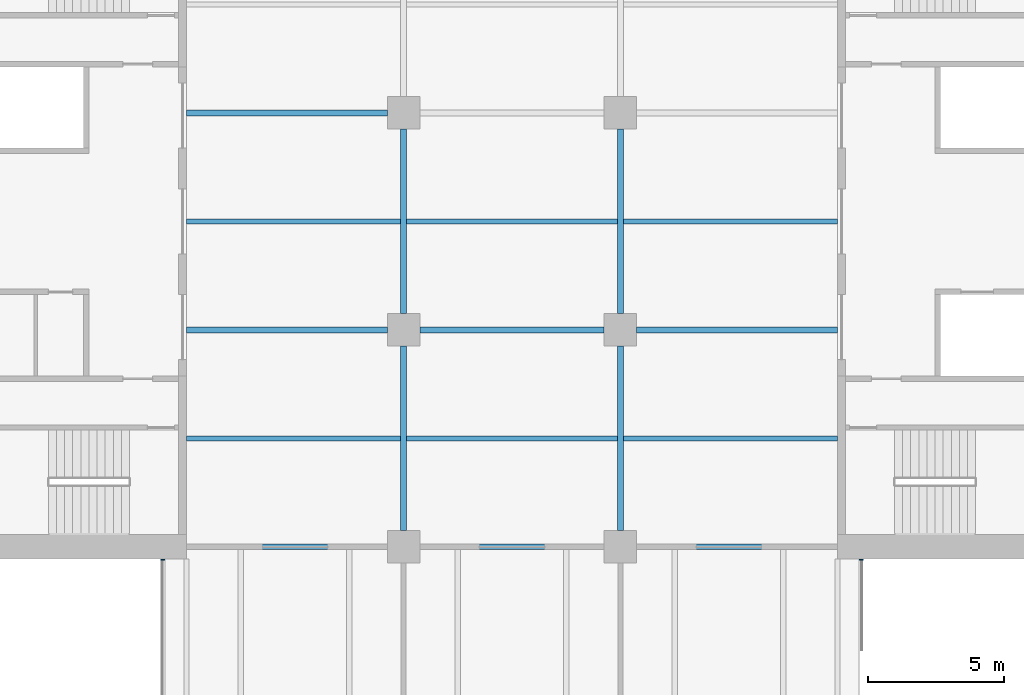
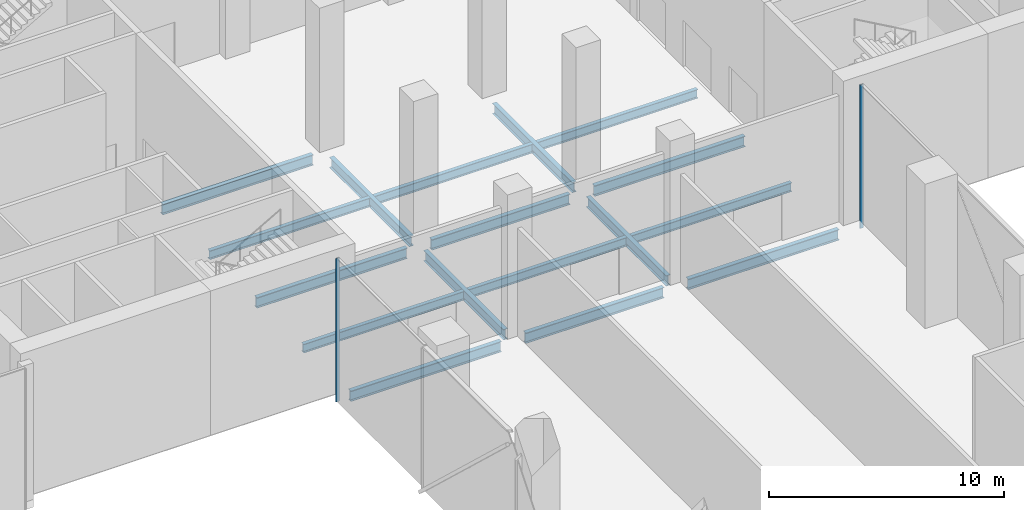
# One storey, part 5 of 25: 17 beams, 2 members, 2 elements without a shape of their own.
"""IFC4 building model written with IfcOpenShell, lengths in metres."""

from ifc_helpers import new_model, si_unit, direction, frame, origin, origin_2d, place, context, subcontext, project, spatial, rectangle, i_section, extrude, material, material_profile, profile_set, type_object, element, aggregate, save


model = new_model("IFC4")

# Units and contexts
model_context = context("Model", 3, precision=1e-05, world=origin(), true_north=direction((0.0, 1.0)))
body_context = subcontext(model_context, "Body", "Model", "MODEL_VIEW")
ifc_project = project(units=[si_unit("LENGTHUNIT", "METRE"), si_unit("AREAUNIT", "SQUARE_METRE"), si_unit("VOLUMEUNIT", "CUBIC_METRE"), si_unit("PLANEANGLEUNIT", "RADIAN"), si_unit("MASSUNIT", "GRAM", prefix="KILO")], contexts=[model_context])

# Site, building, storey
site_placement = place(None, origin())
site = spatial("IfcSite", under=ifc_project, at=site_placement, CompositionType="ELEMENT")
building_placement = place(site_placement, origin())
building = spatial("IfcBuilding", under=site, at=building_placement, Name="Crosswind Convention Tower", CompositionType="ELEMENT")
storey_placement = place(building_placement, frame((0.0, 0.0, 17.5)))
storey = spatial("IfcBuildingStorey", under=building, at=storey_placement, Name="L02", CompositionType="ELEMENT", Elevation=17.5)

# Beams
ifc_material_1 = material(Name="Steel S355", Category="steel")
ifc_material_profile_1 = material_profile(ifc_material_1, i_section(OverallWidth=0.2119140625, OverallDepth=0.544677734375, WebThickness=0.0126953125, FlangeThickness=0.021240234375, FilletRadius=0.0126953125, at=origin_2d()), Name="UB 533x210x122")
ifc_profile_set_1 = profile_set([ifc_material_profile_1], Name="Steel S355")
beam_type_1 = type_object("IfcBeamType", Name="Girder UB 533x210x122", PredefinedType="BEAM", material=ifc_profile_set_1)
for number, where, z_axis, x_axis, name in (
    (1, (121.0, 88.60009765625, -0.67236328125), (0.0, 1.0, 0.0), (-1.0, 0.0, 0.0), "B6 L02 girder 1"),
    (2, (121.0, 96.60009765625, -0.67236328125), (0.0, 1.0, 0.0), (-1.0, 0.0, 0.0), "B6 L02 girder 2"),
    (3, (121.60009765625, 88.0, -0.67236328125), (1.0, 0.0, 0.0), (0.0, 1.0, 0.0), "B6 L02 girder 4"),
    (4, (121.60009765625, 96.0, -0.67236328125), (1.0, 0.0, 0.0), (0.0, 1.0, 0.0), "B6 L02 girder 5"),
    (5, (129.0, 88.60009765625, -0.67236328125), (0.0, 1.0, 0.0), (-1.0, 0.0, 0.0), "B6 L02 girder 8"),
    (6, (129.0, 96.60009765625, -0.67236328125), (0.0, 1.0, 0.0), (-1.0, 0.0, 0.0), "B6 L02 girder 9"),
):
    element("IfcBeam", number, at=place(storey_placement, frame(where, z_axis=z_axis, x_axis=x_axis)), inside=storey, type_object=beam_type_1, Name=name, PredefinedType="BEAM", context=body_context, shape_type="SweptSolid", body=[
        extrude(i_section(OverallWidth=0.2119140625, OverallDepth=0.544677734375, WebThickness=0.0126953125, FlangeThickness=0.021240234375, FilletRadius=0.0126953125, at=origin_2d()), origin(), (0.0, 0.0, 1.0), 6.7998046875),
    ])
ifc_material_profile_2 = material_profile(ifc_material_1, i_section(OverallWidth=0.214111328125, OverallDepth=0.549072265625, WebThickness=0.0146484375, FlangeThickness=0.023681640625, FilletRadius=0.0126953125, at=origin_2d()), Name="UB 533x210x138")
ifc_profile_set_2 = profile_set([ifc_material_profile_2], Name="Steel S355")
beam_type_2 = type_object("IfcBeamType", Name="Girder at core wall UB 533x210x138", PredefinedType="BEAM", material=ifc_profile_set_2)
for number, where, z_axis, x_axis, name in (
    (7, (113.0, 88.0, -0.674560546875), (1.0, 0.0, 0.0), (0.0, 1.0, 0.0), "B27 L02 girder at core wall 1"),
    (8, (113.0, 96.0, -0.674560546875), (1.0, 0.0, 0.0), (0.0, 1.0, 0.0), "B27 L02 girder at core wall 2"),
    (9, (113.0, 104.0, -0.674560546875), (1.0, 0.0, 0.0), (0.0, 1.0, 0.0), "B27 L02 girder at core wall 3"),
    (10, (129.60009765625, 88.0, -0.674560546875), (1.0, 0.0, 0.0), (0.0, 1.0, 0.0), "B27 L02 girder at core wall 5"),
    (11, (129.60009765625, 96.0, -0.674560546875), (1.0, 0.0, 0.0), (0.0, 1.0, 0.0), "B27 L02 girder at core wall 6"),
):
    element("IfcBeam", number, at=place(storey_placement, frame(where, z_axis=z_axis, x_axis=x_axis)), inside=storey, type_object=beam_type_2, Name=name, PredefinedType="BEAM", context=body_context, shape_type="SweptSolid", body=[
        extrude(i_section(OverallWidth=0.214111328125, OverallDepth=0.549072265625, WebThickness=0.0146484375, FlangeThickness=0.023681640625, FilletRadius=0.0126953125, at=origin_2d()), origin(), (0.0, 0.0, 1.0), 7.39990234375),
    ])

# Curtain wall, member
ifc_material_2 = material(Name="Aluminium unitised curtain wall", Category="aluminium")
curtain_wall_type = type_object("IfcCurtainWallType", Name="CORE END SLOT WALL 160", PredefinedType="USERDEFINED", material=ifc_material_2)
curtain_wall_1_placement = place(storey_placement, origin())
curtain_wall_1 = element("IfcCurtainWall", 12, at=curtain_wall_1_placement, inside=storey, type_object=curtain_wall_type, Name="CW6 L02 S-W.1-1 slot", ObjectType="UNITISED", PredefinedType="USERDEFINED")
ifc_material_3 = material(Name="Aluminium mullion", Category="aluminium")
ifc_material_profile_3 = material_profile(ifc_material_3, rectangle(XDim=0.159912109375, YDim=0.050048828125, at=origin_2d()), Name="AL 160X50")
ifc_profile_set_3 = profile_set([ifc_material_profile_3], Name="Aluminium mullion")
member_type = type_object("IfcMemberType", Name="MULLION 50X160", PredefinedType="MULLION", material=ifc_profile_set_3)
member_1_placement = place(storey_placement, frame((112.1201171875, 87.52490234375, -0.39990234375), z_axis=(0.0, 0.0, 1.0), x_axis=(-1.0, 0.0, 0.0)))
member_1 = element("IfcMember", 13, at=member_1_placement, type_object=member_type, Name="CW6 mullion 1", PredefinedType="MULLION", context=body_context, shape_type="SweptSolid", body=[
    extrude(rectangle(XDim=0.159912109375, YDim=0.050048828125, at=origin_2d()), origin(), (0.0, 0.0, 1.0), 7.449951171875),
])
aggregate(curtain_wall_1, [member_1])

curtain_wall_2_placement = place(storey_placement, origin())
curtain_wall_2 = element("IfcCurtainWall", 14, at=curtain_wall_2_placement, inside=storey, type_object=curtain_wall_type, Name="CW6 L02 S-E.1-4 slot", ObjectType="UNITISED", PredefinedType="USERDEFINED")
member_2_placement = place(storey_placement, frame((137.8798828125, 87.52490234375, -0.39990234375), z_axis=(0.0, 0.0, 1.0), x_axis=(1.0, 0.0, 0.0)))
member_2 = element("IfcMember", 15, at=member_2_placement, type_object=member_type, Name="CW6 mullion 2", PredefinedType="MULLION", context=body_context, shape_type="SweptSolid", body=[
    extrude(rectangle(XDim=0.159912109375, YDim=0.050048828125, at=origin_2d()), origin(), (0.0, 0.0, 1.0), 7.449951171875),
])
aggregate(curtain_wall_2, [member_2])

# Beams
ifc_material_profile_4 = material_profile(ifc_material_1, i_section(OverallWidth=0.19140625, OverallDepth=0.460205078125, WebThickness=0.010009765625, FlangeThickness=0.01611328125, FilletRadius=0.01025390625, at=origin_2d()), Name="UB 457x191x82")
ifc_profile_set_4 = profile_set([ifc_material_profile_4], Name="Steel S355")
beam_type_3 = type_object("IfcBeamType", Name="Secondary beam UB 457x191x82", PredefinedType="JOIST", material=ifc_profile_set_4)
for number, where, z_axis, x_axis, name in (
    (16, (113.0, 92.0, -0.630126953125), (1.0, 0.0, 0.0), (0.0, 1.0, 0.0), "B13 L02 secondary beam 11"),
    (17, (113.0, 100.0, -0.630126953125), (1.0, 0.0, 0.0), (0.0, 1.0, 0.0), "B13 L02 secondary beam 12"),
):
    element("IfcBeam", number, at=place(storey_placement, frame(where, z_axis=z_axis, x_axis=x_axis)), inside=storey, type_object=beam_type_3, Name=name, PredefinedType="JOIST", context=body_context, shape_type="SweptSolid", body=[
        extrude(i_section(OverallWidth=0.19140625, OverallDepth=0.460205078125, WebThickness=0.010009765625, FlangeThickness=0.01611328125, FilletRadius=0.01025390625, at=origin_2d()), origin(), (0.0, 0.0, 1.0), 7.89404296875),
    ])
for number, where, z_axis, x_axis, name in (
    (18, (121.10595703125, 92.0, -0.630126953125), (1.0, 0.0, 0.0), (0.0, 1.0, 0.0), "B13 L02 secondary beam 28"),
    (19, (121.10595703125, 100.0, -0.630126953125), (1.0, 0.0, 0.0), (0.0, 1.0, 0.0), "B13 L02 secondary beam 29"),
):
    element("IfcBeam", number, at=place(storey_placement, frame(where, z_axis=z_axis, x_axis=x_axis)), inside=storey, type_object=beam_type_3, Name=name, PredefinedType="JOIST", context=body_context, shape_type="SweptSolid", body=[
        extrude(i_section(OverallWidth=0.19140625, OverallDepth=0.460205078125, WebThickness=0.010009765625, FlangeThickness=0.01611328125, FilletRadius=0.01025390625, at=origin_2d()), origin(), (0.0, 0.0, 1.0), 7.7880859375),
    ])
for number, where, z_axis, x_axis, name in (
    (20, (129.10595703125, 92.0, -0.630126953125), (1.0, 0.0, 0.0), (0.0, 1.0, 0.0), "B13 L02 secondary beam 47"),
    (21, (129.10595703125, 100.0, -0.630126953125), (1.0, 0.0, 0.0), (0.0, 1.0, 0.0), "B13 L02 secondary beam 48"),
):
    element("IfcBeam", number, at=place(storey_placement, frame(where, z_axis=z_axis, x_axis=x_axis)), inside=storey, type_object=beam_type_3, Name=name, PredefinedType="JOIST", context=body_context, shape_type="SweptSolid", body=[
        extrude(i_section(OverallWidth=0.19140625, OverallDepth=0.460205078125, WebThickness=0.010009765625, FlangeThickness=0.01611328125, FilletRadius=0.01025390625, at=origin_2d()), origin(), (0.0, 0.0, 1.0), 7.89404296875),
    ])

save(model, "model.ifc")
